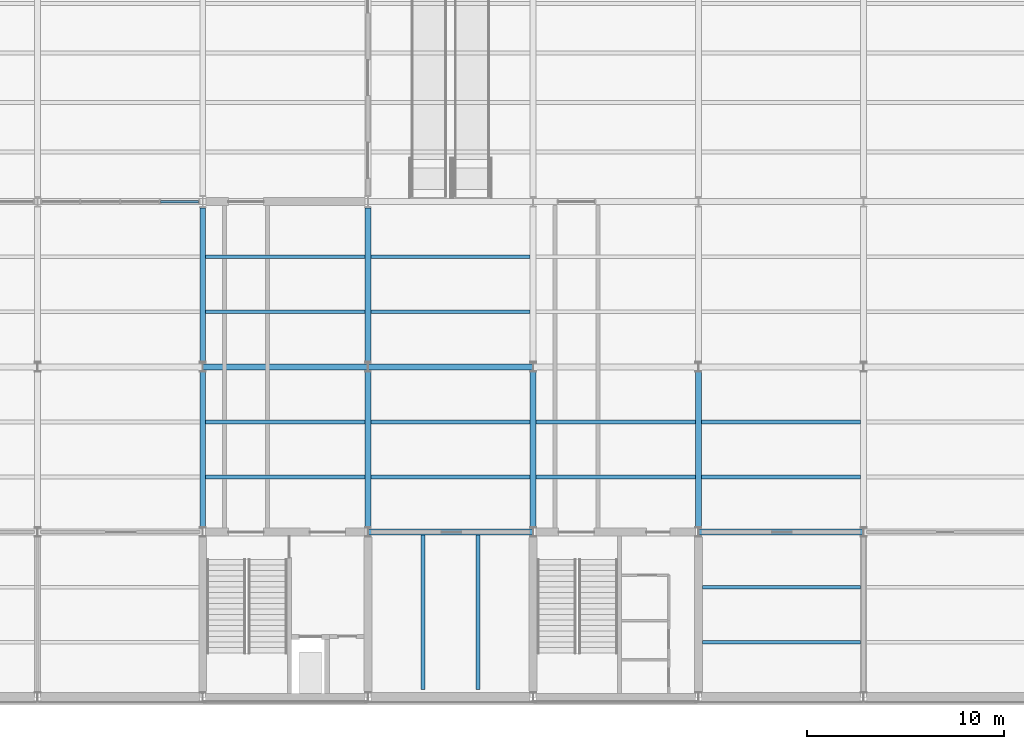
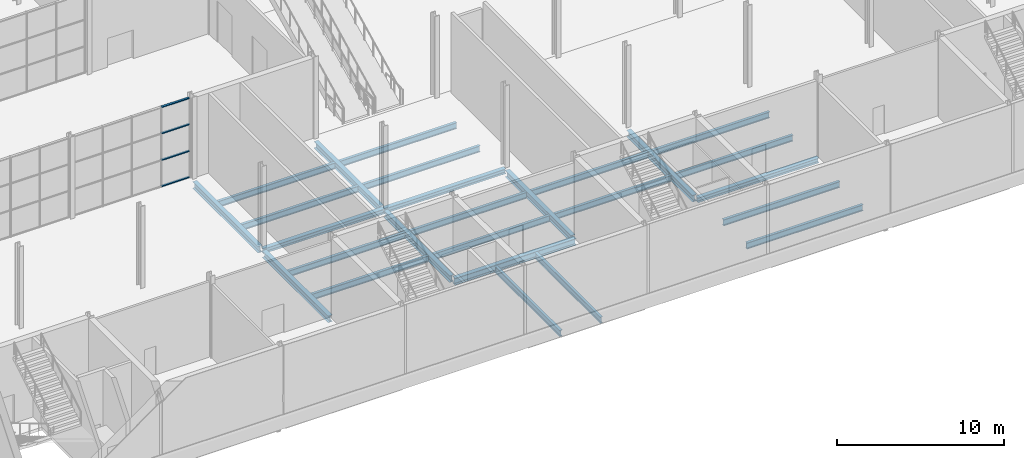
# One storey, part 12 of 55: 26 beams, 4 members, 1 element without a shape of its own.
"""IFC4 building model written with IfcOpenShell, lengths in metres."""

from ifc_helpers import new_model, si_unit, direction, frame, origin, origin_2d, place, context, subcontext, project, spatial, rectangle, i_section, extrude, material, layer, layer_set, material_profile, profile_set, type_object, element, aggregate, save


model = new_model("IFC4")

# Units and contexts
model_context = context("Model", 3, precision=1e-05, world=origin(), true_north=direction((0.0, 1.0)))
body_context = subcontext(model_context, "Body", "Model", "MODEL_VIEW")
ifc_project = project(units=[si_unit("LENGTHUNIT", "METRE"), si_unit("AREAUNIT", "SQUARE_METRE"), si_unit("VOLUMEUNIT", "CUBIC_METRE"), si_unit("PLANEANGLEUNIT", "RADIAN"), si_unit("MASSUNIT", "GRAM", prefix="KILO")], contexts=[model_context])

# Site, building, storey
site_placement = place(None, origin())
site = spatial("IfcSite", under=ifc_project, at=site_placement, CompositionType="ELEMENT")
building_placement = place(site_placement, origin())
building = spatial("IfcBuilding", under=site, at=building_placement, Name="Galleria Vessillo Department Store", CompositionType="ELEMENT")
storey_placement = place(building_placement, origin())
storey = spatial("IfcBuildingStorey", under=building, at=storey_placement, Name="L00", CompositionType="ELEMENT", Elevation=0.0)

# Curtain wall, members
ifc_material_1 = material(Name="Aluminium and glass curtain wall", Category="aluminium")
ifc_layer = layer(ifc_material_1, 0.199951171875)
ifc_layer_set = layer_set([ifc_layer], Name="Aluminium and glass curtain wall")
curtain_wall_type = type_object("IfcCurtainWallType", Name="Arcade curtain wall CW1 2100 module", PredefinedType="NOTDEFINED", material=ifc_layer_set)
curtain_wall_placement = place(storey_placement, origin())
curtain_wall = element("IfcCurtainWall", 1, at=curtain_wall_placement, inside=storey, type_object=curtain_wall_type, Name="Arcade curtain wall CW1 2100 module AI-AW-S-L00-02", PredefinedType="NOTDEFINED")
ifc_material_2 = material(Name="Aluminium alloy 6063 T6", Category="aluminium")
ifc_material_profile_1 = material_profile(ifc_material_2, rectangle(XDim=0.139892578125, YDim=0.070068359375, at=origin_2d()), Name="AL 70x140")
ifc_profile_set_1 = profile_set([ifc_material_profile_1], Name="Aluminium alloy 6063 T6")
member_type = type_object("IfcMemberType", Name="Aluminium transom 70 x 140", PredefinedType="USERDEFINED", material=ifc_profile_set_1)
member_1_placement = place(storey_placement, frame((31.453857421875, 25.199951171875, 0.034912109375), z_axis=(1.0, 0.0, 0.0), x_axis=(0.0, 1.0, 0.0)))
member_1 = element("IfcMember", 2, at=member_1_placement, type_object=member_type, Name="CW1 transom 4.1", ObjectType="TRANSOM", PredefinedType="USERDEFINED", context=body_context, shape_type="SweptSolid", body=[
    extrude(rectangle(XDim=0.139892578125, YDim=0.070068359375, at=origin_2d()), origin(), (0.0, 0.0, 1.0), 1.93359375),
])
member_2_placement = place(storey_placement, frame((31.453857421875, 25.199951171875, 1.949951171875), z_axis=(1.0, 0.0, 0.0), x_axis=(0.0, 1.0, 0.0)))
member_2 = element("IfcMember", 3, at=member_2_placement, type_object=member_type, Name="CW1 transom 4.2", ObjectType="TRANSOM", PredefinedType="USERDEFINED", context=body_context, shape_type="SweptSolid", body=[
    extrude(rectangle(XDim=0.139892578125, YDim=0.070068359375, at=origin_2d()), origin(), (0.0, 0.0, 1.0), 1.93359375),
])
member_3_placement = place(storey_placement, frame((31.453857421875, 25.199951171875, 3.900146484375), z_axis=(1.0, 0.0, 0.0), x_axis=(0.0, 1.0, 0.0)))
member_3 = element("IfcMember", 4, at=member_3_placement, type_object=member_type, Name="CW1 transom 4.3", ObjectType="TRANSOM", PredefinedType="USERDEFINED", context=body_context, shape_type="SweptSolid", body=[
    extrude(rectangle(XDim=0.139892578125, YDim=0.070068359375, at=origin_2d()), origin(), (0.0, 0.0, 1.0), 1.93359375),
])
member_4_placement = place(storey_placement, frame((31.453857421875, 25.199951171875, 5.815185546875), z_axis=(1.0, 0.0, 0.0), x_axis=(0.0, 1.0, 0.0)))
member_4 = element("IfcMember", 5, at=member_4_placement, type_object=member_type, Name="CW1 transom 4.4", ObjectType="TRANSOM", PredefinedType="USERDEFINED", context=body_context, shape_type="SweptSolid", body=[
    extrude(rectangle(XDim=0.139892578125, YDim=0.070068359375, at=origin_2d()), origin(), (0.0, 0.0, 1.0), 1.93359375),
])
aggregate(curtain_wall, [member_1, member_2, member_3, member_4])

# Beams
ifc_material_3 = material(Name="Steel S355 J2", Category="steel")
ifc_material_profile_2 = material_profile(ifc_material_3, i_section(OverallWidth=0.300048828125, OverallDepth=0.489990234375, WebThickness=0.011962890625, FlangeThickness=0.02294921875, FilletRadius=0.027099609375, at=origin_2d()), Name="HEA 500")
ifc_profile_set_2 = profile_set([ifc_material_profile_2], Name="Steel S355 J2")
beam_type_1 = type_object("IfcBeamType", Name="Floor girder HEA 500", PredefinedType="BEAM", material=ifc_profile_set_2)
beam_1_placement = place(storey_placement, frame((42.00732421875, 8.39990234375, -0.39501953125), z_axis=(1.0, 0.0, 0.0), x_axis=(0.0, 1.0, 0.0)))
element("IfcBeam", 6, at=beam_1_placement, inside=storey, type_object=beam_type_1, Name="S-BM-L00-GI-x8400-42007", PredefinedType="BEAM", context=body_context, shape_type="SweptSolid", body=[
    extrude(i_section(OverallWidth=0.300048828125, OverallDepth=0.489990234375, WebThickness=0.011962890625, FlangeThickness=0.02294921875, FilletRadius=0.027099609375, at=origin_2d()), origin(), (0.0, 0.0, 1.0), 8.38525390625),
])
beam_2_placement = place(storey_placement, frame((33.60009765625, 8.650146484375, -0.39501953125), z_axis=(0.0, 1.0, 0.0), x_axis=(-1.0, 0.0, 0.0)))
element("IfcBeam", 7, at=beam_2_placement, inside=storey, type_object=beam_type_1, Name="S-BM-L00-GI-y33600-8650", PredefinedType="BEAM", context=body_context, shape_type="SweptSolid", body=[
    extrude(i_section(OverallWidth=0.300048828125, OverallDepth=0.489990234375, WebThickness=0.011962890625, FlangeThickness=0.02294921875, FilletRadius=0.027099609375, at=origin_2d()), origin(), (0.0, 0.0, 1.0), 7.899658203125),
])
beam_3_placement = place(storey_placement, frame((33.60009765625, 17.050048828125, -0.39501953125), z_axis=(0.0, 1.0, 0.0), x_axis=(-1.0, 0.0, 0.0)))
element("IfcBeam", 8, at=beam_3_placement, inside=storey, type_object=beam_type_1, Name="S-BM-L00-GI-y33600-17050", PredefinedType="BEAM", context=body_context, shape_type="SweptSolid", body=[
    extrude(i_section(OverallWidth=0.300048828125, OverallDepth=0.489990234375, WebThickness=0.011962890625, FlangeThickness=0.02294921875, FilletRadius=0.027099609375, at=origin_2d()), origin(), (0.0, 0.0, 1.0), 7.83984375),
])
beam_4_placement = place(storey_placement, frame((42.0, 8.650146484375, -0.39501953125), z_axis=(0.0, 1.0, 0.0), x_axis=(-1.0, 0.0, 0.0)))
element("IfcBeam", 9, at=beam_4_placement, inside=storey, type_object=beam_type_1, Name="S-BM-L00-GI-y42000-8650", PredefinedType="BEAM", context=body_context, shape_type="SweptSolid", body=[
    extrude(i_section(OverallWidth=0.300048828125, OverallDepth=0.489990234375, WebThickness=0.011962890625, FlangeThickness=0.02294921875, FilletRadius=0.027099609375, at=origin_2d()), origin(), (0.0, 0.0, 1.0), 7.899658203125),
])
beam_5_placement = place(storey_placement, frame((42.0, 17.050048828125, -0.39501953125), z_axis=(0.0, 1.0, 0.0), x_axis=(-1.0, 0.0, 0.0)))
element("IfcBeam", 10, at=beam_5_placement, inside=storey, type_object=beam_type_1, Name="S-BM-L00-GI-y42000-17050", PredefinedType="BEAM", context=body_context, shape_type="SweptSolid", body=[
    extrude(i_section(OverallWidth=0.300048828125, OverallDepth=0.489990234375, WebThickness=0.011962890625, FlangeThickness=0.02294921875, FilletRadius=0.027099609375, at=origin_2d()), origin(), (0.0, 0.0, 1.0), 7.83984375),
])
for number, where, z_axis, x_axis, name in (
    (11, (50.39990234375, 8.650146484375, -0.39501953125), (0.0, 1.0, 0.0), (-1.0, 0.0, 0.0), "S-BM-L00-GI-y50400-8650"),
    (12, (58.800048828125, 8.650146484375, -0.39501953125), (0.0, 1.0, 0.0), (-1.0, 0.0, 0.0), "S-BM-L00-GI-y58800-8650"),
):
    element("IfcBeam", number, at=place(storey_placement, frame(where, z_axis=z_axis, x_axis=x_axis)), inside=storey, type_object=beam_type_1, Name=name, PredefinedType="BEAM", context=body_context, shape_type="SweptSolid", body=[
        extrude(i_section(OverallWidth=0.300048828125, OverallDepth=0.489990234375, WebThickness=0.011962890625, FlangeThickness=0.02294921875, FilletRadius=0.027099609375, at=origin_2d()), origin(), (0.0, 0.0, 1.0), 7.899658203125),
    ])
ifc_material_4 = material(Name="Steel S355 J2", Category="steel")
ifc_material_profile_3 = material_profile(ifc_material_4, i_section(OverallWidth=0.18994140625, OverallDepth=0.449951171875, WebThickness=0.009521484375, FlangeThickness=0.0146484375, FilletRadius=0.02099609375, at=origin_2d()), Name="IPE 450")
ifc_profile_set_3 = profile_set([ifc_material_profile_3], Name="Steel S355 J2")
beam_type_2 = type_object("IfcBeamType", Name="Floor joist IPE 450", PredefinedType="JOIST", material=ifc_profile_set_3)
for number, where, z_axis, x_axis, name in (
    (13, (33.750244140625, 11.199951171875, -0.375), (1.0, 0.0, 0.0), (0.0, 1.0, 0.0), "S-BM-L00-JO-x11200-33750"),
    (14, (33.750244140625, 14.0, -0.375), (1.0, 0.0, 0.0), (0.0, 1.0, 0.0), "S-BM-L00-JO-x14000-33750"),
    (15, (33.750244140625, 19.60009765625, -0.375), (1.0, 0.0, 0.0), (0.0, 1.0, 0.0), "S-BM-L00-JO-x19600-33750"),
    (16, (33.750244140625, 22.39990234375, -0.375), (1.0, 0.0, 0.0), (0.0, 1.0, 0.0), "S-BM-L00-JO-x22400-33750"),
):
    element("IfcBeam", number, at=place(storey_placement, frame(where, z_axis=z_axis, x_axis=x_axis)), inside=storey, type_object=beam_type_2, Name=name, PredefinedType="JOIST", context=body_context, shape_type="SweptSolid", body=[
        extrude(i_section(OverallWidth=0.18994140625, OverallDepth=0.449951171875, WebThickness=0.009521484375, FlangeThickness=0.0146484375, FilletRadius=0.02099609375, at=origin_2d()), origin(), (0.0, 0.0, 1.0), 8.099609375),
    ])
for number, where, z_axis, x_axis, name in (
    (17, (44.800048828125, 0.400146484375, -0.375), (0.0, 1.0, 0.0), (-1.0, 0.0, 0.0), "S-BM-L00-JO-y44800-400"),
    (18, (47.60009765625, 0.400146484375, -0.375), (0.0, 1.0, 0.0), (-1.0, 0.0, 0.0), "S-BM-L00-JO-y47600-400"),
):
    element("IfcBeam", number, at=place(storey_placement, frame(where, z_axis=z_axis, x_axis=x_axis)), inside=storey, type_object=beam_type_2, Name=name, PredefinedType="JOIST", context=body_context, shape_type="SweptSolid", body=[
        extrude(i_section(OverallWidth=0.18994140625, OverallDepth=0.449951171875, WebThickness=0.009521484375, FlangeThickness=0.0146484375, FilletRadius=0.02099609375, at=origin_2d()), origin(), (0.0, 0.0, 1.0), 7.849609375),
    ])
for number, where, z_axis, x_axis, name in (
    (19, (42.150146484375, 11.199951171875, -0.375), (1.0, 0.0, 0.0), (0.0, 1.0, 0.0), "S-BM-L00-JO-x11200-42150"),
    (20, (42.150146484375, 14.0, -0.375), (1.0, 0.0, 0.0), (0.0, 1.0, 0.0), "S-BM-L00-JO-x14000-42150"),
    (21, (42.150146484375, 19.60009765625, -0.375), (1.0, 0.0, 0.0), (0.0, 1.0, 0.0), "S-BM-L00-JO-x19600-42150"),
    (22, (42.150146484375, 22.39990234375, -0.375), (1.0, 0.0, 0.0), (0.0, 1.0, 0.0), "S-BM-L00-JO-x22400-42150"),
):
    element("IfcBeam", number, at=place(storey_placement, frame(where, z_axis=z_axis, x_axis=x_axis)), inside=storey, type_object=beam_type_2, Name=name, PredefinedType="JOIST", context=body_context, shape_type="SweptSolid", body=[
        extrude(i_section(OverallWidth=0.18994140625, OverallDepth=0.449951171875, WebThickness=0.009521484375, FlangeThickness=0.0146484375, FilletRadius=0.02099609375, at=origin_2d()), origin(), (0.0, 0.0, 1.0), 8.099609375),
    ])
for number, where, z_axis, x_axis, name in (
    (23, (50.550048828125, 11.199951171875, -0.375), (1.0, 0.0, 0.0), (0.0, 1.0, 0.0), "S-BM-L00-JO-x11200-50550"),
    (24, (50.550048828125, 14.0, -0.375), (1.0, 0.0, 0.0), (0.0, 1.0, 0.0), "S-BM-L00-JO-x14000-50550"),
):
    element("IfcBeam", number, at=place(storey_placement, frame(where, z_axis=z_axis, x_axis=x_axis)), inside=storey, type_object=beam_type_2, Name=name, PredefinedType="JOIST", context=body_context, shape_type="SweptSolid", body=[
        extrude(i_section(OverallWidth=0.18994140625, OverallDepth=0.449951171875, WebThickness=0.009521484375, FlangeThickness=0.0146484375, FilletRadius=0.02099609375, at=origin_2d()), origin(), (0.0, 0.0, 1.0), 8.099853515625),
    ])
for number, where, z_axis, x_axis, name in (
    (25, (59.000244140625, 2.800048828125, -0.375), (1.0, 0.0, 0.0), (0.0, 1.0, 0.0), "S-BM-L00-JO-x2800-59000"),
    (26, (59.000244140625, 5.60009765625, -0.375), (1.0, 0.0, 0.0), (0.0, 1.0, 0.0), "S-BM-L00-JO-x5600-59000"),
):
    element("IfcBeam", number, at=place(storey_placement, frame(where, z_axis=z_axis, x_axis=x_axis)), inside=storey, type_object=beam_type_2, Name=name, PredefinedType="JOIST", context=body_context, shape_type="SweptSolid", body=[
        extrude(i_section(OverallWidth=0.18994140625, OverallDepth=0.449951171875, WebThickness=0.009521484375, FlangeThickness=0.0146484375, FilletRadius=0.02099609375, at=origin_2d()), origin(), (0.0, 0.0, 1.0), 8.049560546875),
    ])
for number, where, z_axis, x_axis, name in (
    (27, (58.9501953125, 11.199951171875, -0.375), (1.0, 0.0, 0.0), (0.0, 1.0, 0.0), "S-BM-L00-JO-x11200-58950"),
    (28, (58.9501953125, 14.0, -0.375), (1.0, 0.0, 0.0), (0.0, 1.0, 0.0), "S-BM-L00-JO-x14000-58950"),
):
    element("IfcBeam", number, at=place(storey_placement, frame(where, z_axis=z_axis, x_axis=x_axis)), inside=storey, type_object=beam_type_2, Name=name, PredefinedType="JOIST", context=body_context, shape_type="SweptSolid", body=[
        extrude(i_section(OverallWidth=0.18994140625, OverallDepth=0.449951171875, WebThickness=0.009521484375, FlangeThickness=0.0146484375, FilletRadius=0.02099609375, at=origin_2d()), origin(), (0.0, 0.0, 1.0), 8.099609375),
    ])
ifc_material_5 = material(Name="Steel S355 J2", Category="steel")
ifc_material_profile_4 = material_profile(ifc_material_5, i_section(OverallWidth=0.300048828125, OverallDepth=0.35009765625, WebThickness=0.010009765625, FlangeThickness=0.017578125, FilletRadius=0.027099609375, at=origin_2d()), Name="HEA 360")
ifc_profile_set_4 = profile_set([ifc_material_profile_4], Name="Steel S355 J2")
beam_type_3 = type_object("IfcBeamType", Name="Floor tie girder HEA 360", PredefinedType="BEAM", material=ifc_profile_set_4)
for number, where, z_axis, x_axis, name in (
    (29, (58.807373046875, 8.39990234375, -0.324951171875), (1.0, 0.0, 0.0), (0.0, 1.0, 0.0), "S-BM-L00-TI-x8400-58807"),
    (30, (33.607421875, 16.800048828125, -0.324951171875), (1.0, 0.0, 0.0), (0.0, 1.0, 0.0), "S-BM-L00-TI-x16800-33607"),
    (31, (42.00732421875, 16.800048828125, -0.324951171875), (1.0, 0.0, 0.0), (0.0, 1.0, 0.0), "S-BM-L00-TI-x16800-42007"),
):
    element("IfcBeam", number, at=place(storey_placement, frame(where, z_axis=z_axis, x_axis=x_axis)), inside=storey, type_object=beam_type_3, Name=name, PredefinedType="BEAM", context=body_context, shape_type="SweptSolid", body=[
        extrude(i_section(OverallWidth=0.300048828125, OverallDepth=0.35009765625, WebThickness=0.010009765625, FlangeThickness=0.017578125, FilletRadius=0.027099609375, at=origin_2d()), origin(), (0.0, 0.0, 1.0), 8.38525390625),
    ])

save(model, "model.ifc")
